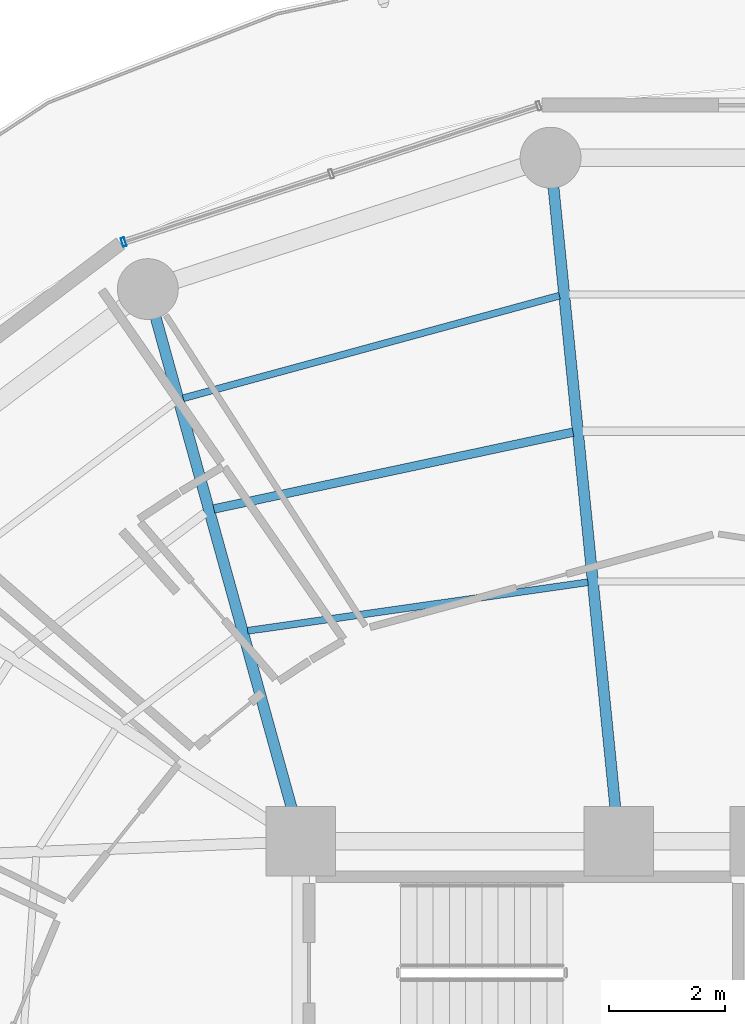
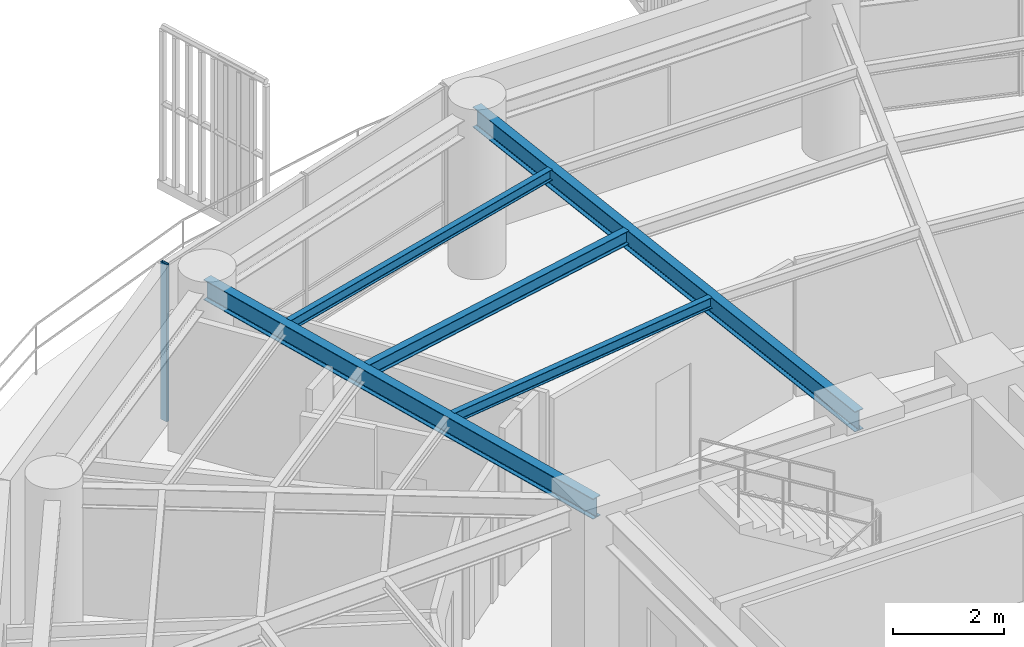
# One storey, part 17 of 30: 5 beams, 1 member, 1 element without a shape of its own.
"""IFC4 building model written with IfcOpenShell, lengths in metres."""

from ifc_helpers import new_model, si_unit, direction, frame, origin, origin_2d, place, context, subcontext, project, spatial, hollow_rectangle, i_section, extrude, material, layer, layer_set, material_profile, profile_set, type_object, element, aggregate, save


model = new_model("IFC4")

# Units and contexts
model_context = context("Model", 3, precision=1e-05, world=origin(), true_north=direction((0.0, 1.0)))
body_context = subcontext(model_context, "Body", "Model", "MODEL_VIEW")
ifc_project = project(units=[si_unit("LENGTHUNIT", "METRE"), si_unit("AREAUNIT", "SQUARE_METRE"), si_unit("VOLUMEUNIT", "CUBIC_METRE"), si_unit("PLANEANGLEUNIT", "RADIAN"), si_unit("MASSUNIT", "GRAM", prefix="KILO")], contexts=[model_context])

# Site, building, storey
site_placement = place(None, origin())
site = spatial("IfcSite", under=ifc_project, at=site_placement, CompositionType="ELEMENT")
building_placement = place(site_placement, origin())
building = spatial("IfcBuilding", under=site, at=building_placement, Name="Kelanora Arch Commons", CompositionType="ELEMENT")
storey_placement = place(building_placement, frame((0.0, 0.0, 204.449951171875)))
storey = spatial("IfcBuildingStorey", under=building, at=storey_placement, Name="L52", CompositionType="ELEMENT", Elevation=204.449951171875)

# Beams
ifc_material_1 = material(Name="Steel S355", Category="steel")
ifc_material_profile_1 = material_profile(ifc_material_1, i_section(OverallWidth=0.14990234375, OverallDepth=0.300048828125, WebThickness=0.007080078125, FlangeThickness=0.0107421875, FilletRadius=0.014892578125, at=origin_2d()), Name="IPE300")
ifc_profile_set_1 = profile_set([ifc_material_profile_1], Name="Steel S355")
beam_type_1 = type_object("IfcBeamType", Name="BM-JST-01", PredefinedType="JOIST", material=ifc_profile_set_1)
beam_1_placement = place(storey_placement, frame((70.69189453125, 72.056396484375, 3.340087890625), z_axis=(-0.977893715981, -0.209102559153, 0.0), x_axis=(0.209102559153, -0.977893715981, 0.0)))
element("IfcBeam", 1, at=beam_1_placement, inside=storey, type_object=beam_type_1, Name="Secondary Chord Joist BJB-10 L52", PredefinedType="JOIST", context=body_context, shape_type="SweptSolid", body=[
    extrude(i_section(OverallWidth=0.14990234375, OverallDepth=0.300048828125, WebThickness=0.007080078125, FlangeThickness=0.0107421875, FilletRadius=0.014892578125, at=origin_2d()), origin(), (0.0, 0.0, 1.0), 6.332763671875),
])
ifc_material_profile_2 = material_profile(ifc_material_1, i_section(OverallWidth=0.1201171875, OverallDepth=0.239990234375, WebThickness=0.006103515625, FlangeThickness=0.009765625, FilletRadius=0.014892578125, at=origin_2d()), Name="IPE240")
ifc_profile_set_2 = profile_set([ifc_material_profile_2], Name="Steel S355")
beam_type_2 = type_object("IfcBeamType", Name="BM-JST-02", PredefinedType="JOIST", material=ifc_profile_set_2)
beam_2_placement = place(storey_placement, frame((70.94921875, 69.46826171875, 3.3701171875), z_axis=(-0.989977480435, -0.141225310164, 0.0), x_axis=(0.141225310164, -0.989977480435, 0.0)))
element("IfcBeam", 2, at=beam_2_placement, inside=storey, type_object=beam_type_2, Name="Secondary Chord Joist BJA-10 L52", PredefinedType="JOIST", context=body_context, shape_type="SweptSolid", body=[
    extrude(i_section(OverallWidth=0.1201171875, OverallDepth=0.239990234375, WebThickness=0.006103515625, FlangeThickness=0.009765625, FilletRadius=0.014892578125, at=origin_2d()), origin(), (0.0, 0.0, 1.0), 5.927734375),
])
beam_3_placement = place(storey_placement, frame((70.457763671875, 74.40966796875, 3.3701171875), z_axis=(-0.964804863594, -0.262966870889, 0.0), x_axis=(0.262966870889, -0.964804863594, 0.0)))
element("IfcBeam", 3, at=beam_3_placement, inside=storey, type_object=beam_type_2, Name="Secondary Chord Joist BJC-10 L52", PredefinedType="JOIST", context=body_context, shape_type="SweptSolid", body=[
    extrude(i_section(OverallWidth=0.1201171875, OverallDepth=0.239990234375, WebThickness=0.006103515625, FlangeThickness=0.009765625, FilletRadius=0.014892578125, at=origin_2d()), origin(), (0.0, 0.0, 1.0), 6.724365234375),
])
ifc_material_profile_3 = material_profile(ifc_material_1, i_section(OverallWidth=0.18994140625, OverallDepth=0.449951171875, WebThickness=0.009521484375, FlangeThickness=0.0146484375, FilletRadius=0.02099609375, at=origin_2d()), Name="IPE450")
ifc_profile_set_3 = profile_set([ifc_material_profile_3], Name="Steel S355")
beam_type_3 = type_object("IfcBeamType", Name="BM-RAD-Z4", PredefinedType="BEAM", material=ifc_profile_set_3)
beam_4_placement = place(storey_placement, frame((71.47998046875, 65.0, 3.26513671875), z_axis=(-0.099193615558, 0.995068151753, 0.0), x_axis=(-0.995068151753, -0.099193615558, 0.0)))
element("IfcBeam", 4, at=beam_4_placement, inside=storey, type_object=beam_type_3, Name="Radial Floor Girder BR-10 L52", PredefinedType="BEAM", context=body_context, shape_type="SweptSolid", body=[
    extrude(i_section(OverallWidth=0.18994140625, OverallDepth=0.449951171875, WebThickness=0.009521484375, FlangeThickness=0.0146484375, FilletRadius=0.02099609375, at=origin_2d()), origin(), (0.0, 0.0, 1.0), 11.848388671875),
])
beam_5_placement = place(storey_placement, frame((66.0, 65.0, 3.26513671875), z_axis=(-0.267120164296, 0.963663228429, 0.0), x_axis=(-0.963663228429, -0.267120164296, 0.0)))
element("IfcBeam", 5, at=beam_5_placement, inside=storey, type_object=beam_type_3, Name="Radial Floor Girder BR-12 L52", PredefinedType="BEAM", context=body_context, shape_type="SweptSolid", body=[
    extrude(i_section(OverallWidth=0.18994140625, OverallDepth=0.449951171875, WebThickness=0.009521484375, FlangeThickness=0.0146484375, FilletRadius=0.02099609375, at=origin_2d()), origin(), (0.0, 0.0, 1.0), 9.8828125),
])

# Curtain wall, member
ifc_material_2 = material(Name="Terracotta ceramic-fritted low-E glass and aluminium", Category="masonry")
ifc_layer = layer(ifc_material_2, 0.175048828125)
ifc_layer_set = layer_set([ifc_layer], Name="Terracotta ceramic-fritted low-E glass and aluminium")
curtain_wall_type = type_object("IfcCurtainWallType", Name="CW-SYS-02", PredefinedType="NOTDEFINED", material=ifc_layer_set)
curtain_wall_placement = place(storey_placement, origin())
curtain_wall = element("IfcCurtainWall", 6, at=curtain_wall_placement, inside=storey, type_object=curtain_wall_type, Name="Unitised Curtain Wall L52-B05", PredefinedType="NOTDEFINED")
ifc_material_3 = material(Name="Powder-coated aluminium terracotta", Category="masonry")
ifc_material_profile_4 = material_profile(ifc_material_3, hollow_rectangle(XDim=0.159912109375, YDim=0.06005859375, WallThickness=0.0048828125, InnerFilletRadius=0.0048828125, OuterFilletRadius=0.010009765625, at=origin_2d()), Name="CWM160x60")
ifc_profile_set_4 = profile_set([ifc_material_profile_4], Name="Powder-coated aluminium terracotta")
member_type = type_object("IfcMemberType", Name="CWM-STD", PredefinedType="MULLION", material=ifc_profile_set_4)
member_placement = place(storey_placement, frame((62.94287109375, 75.33447265625, 0.0), z_axis=(0.0, 0.0, 1.0), x_axis=(0.311582439059, -0.950219124029, 0.0)))
member = element("IfcMember", 7, at=member_placement, type_object=member_type, Name="CW-02 mullion 3", PredefinedType="MULLION", context=body_context, shape_type="SweptSolid", body=[
    extrude(hollow_rectangle(XDim=0.159912109375, YDim=0.06005859375, WallThickness=0.0048828125, InnerFilletRadius=0.0048828125, OuterFilletRadius=0.010009765625, at=origin_2d()), origin(), (0.0, 0.0, 1.0), 3.47509765625),
])
aggregate(curtain_wall, [member])

save(model, "model.ifc")
